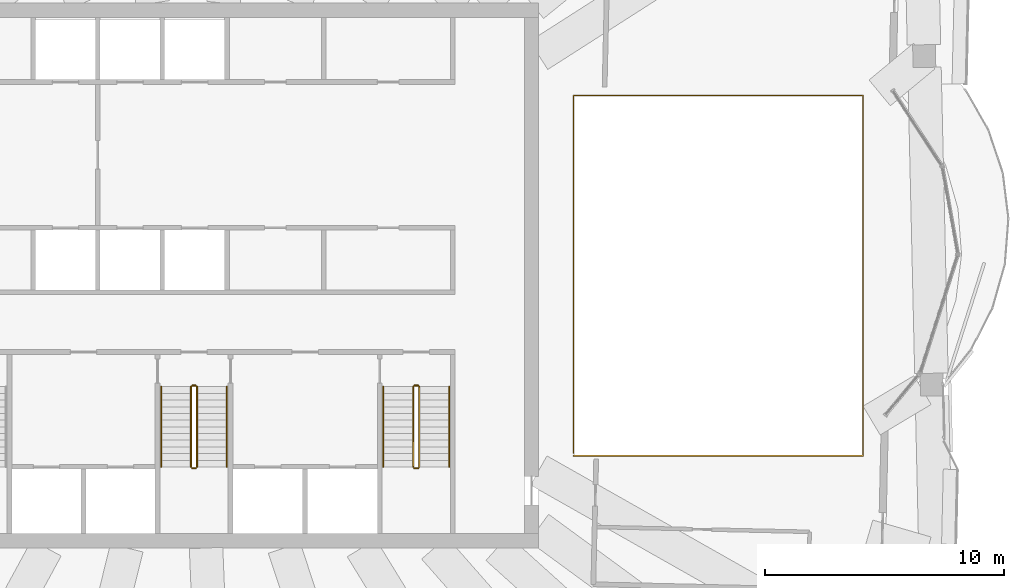
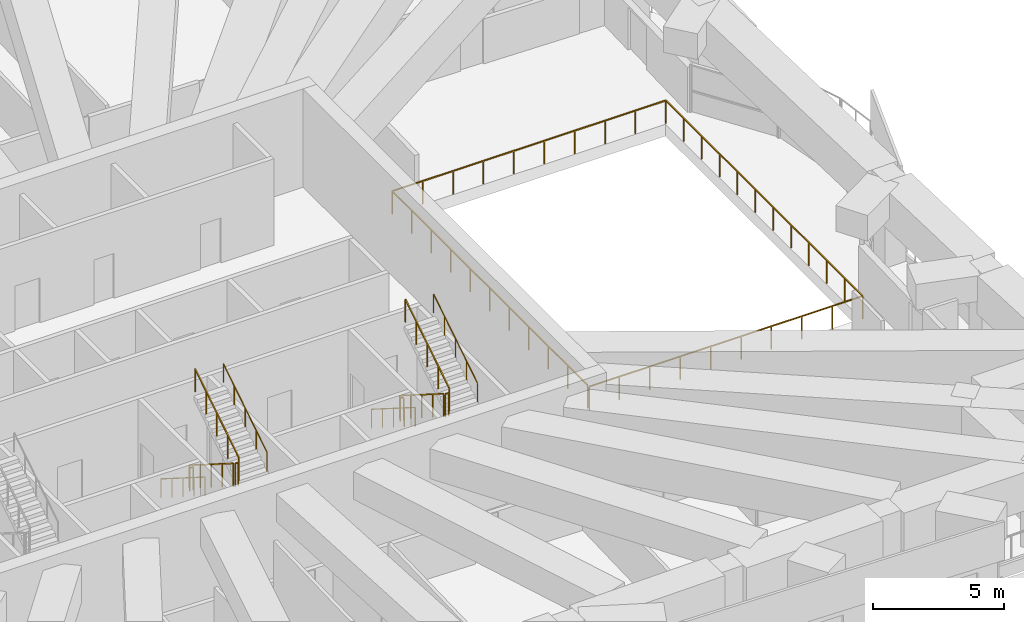
# One storey, part 18 of 20: 13 railings.
"""IFC4 building model written with IfcOpenShell, lengths in metres."""

from ifc_helpers import new_model, si_unit, direction, frame, origin, origin_2d, place, context, subcontext, project, spatial, rectangle, circle, extrude, material, type_object, element, save


model = new_model("IFC4")

# Units and contexts
model_context = context("Model", 3, precision=1e-05, world=origin(), true_north=direction((0.0, 1.0)))
body_context = subcontext(model_context, "Body", "Model", "MODEL_VIEW")
ifc_project = project(units=[si_unit("LENGTHUNIT", "METRE"), si_unit("AREAUNIT", "SQUARE_METRE"), si_unit("VOLUMEUNIT", "CUBIC_METRE"), si_unit("PLANEANGLEUNIT", "RADIAN"), si_unit("MASSUNIT", "GRAM", prefix="KILO")], contexts=[model_context])

# Site, building, storey
site_placement = place(None, origin())
site = spatial("IfcSite", under=ifc_project, at=site_placement, CompositionType="ELEMENT")
building_placement = place(site_placement, origin())
building = spatial("IfcBuilding", under=site, at=building_placement, Name="Mangrove Gate Tower", CompositionType="ELEMENT")
storey_placement = place(building_placement, frame((0.0, 0.0, 301.5)))
storey = spatial("IfcBuildingStorey", under=building, at=storey_placement, Name="L77", CompositionType="ELEMENT", Elevation=301.5)

# Railings
ifc_material_1 = material(Name="Stainless steel grade 316 with laminated glass infill", Category="steel")
railing_type_1 = type_object("IfcRailingType", Name="Balcony guard 1100", PredefinedType="GUARDRAIL", material=ifc_material_1)
railing_1_placement = place(storey_placement, frame((15.860107421875, -7.5400390625, 0.0)))
element("IfcRailing", 1, at=railing_1_placement, inside=storey, type_object=railing_type_1, Name="GUARD L77 atrium", PredefinedType="GUARDRAIL", context=body_context, shape_type="SweptSolid", body=[
    extrude(rectangle(XDim=0.048095703125, YDim=0.048095703125, at=origin_2d()), frame((0.0, 0.0, 1.076171875), z_axis=(1.0, 0.0, 0.0), x_axis=(0.0, 1.0, 0.0)), (0.0, 0.0, 1.0), 12.101806640625),
    extrude(rectangle(XDim=0.048095703125, YDim=0.048095703125, at=origin_2d()), frame((12.101806640625, 0.0, 1.076171875), z_axis=(0.0, 1.0, 0.0), x_axis=(-1.0, 0.0, 0.0)), (0.0, 0.0, 1.0), 15.080078125),
    extrude(rectangle(XDim=0.048095703125, YDim=0.048095703125, at=origin_2d()), frame((12.101806640625, 15.080078125, 1.076171875), z_axis=(-1.0, 0.0, 0.0), x_axis=(0.0, -1.0, 0.0)), (0.0, 0.0, 1.0), 12.101806640625),
    extrude(rectangle(XDim=0.048095703125, YDim=0.048095703125, at=origin_2d()), frame((0.0, 15.080078125, 1.076171875), z_axis=(0.0, -1.0, 0.0), x_axis=(1.0, 0.0, 0.0)), (0.0, 0.0, 1.0), 14.9599609375),
    extrude(rectangle(XDim=0.0419921875, YDim=0.0419921875, at=origin_2d()), origin(), (0.0, 0.0, 1.0), 1.052001953125),
    extrude(rectangle(XDim=0.0419921875, YDim=0.0419921875, at=origin_2d()), frame((1.3447265625, 0.0, 0.0)), (0.0, 0.0, 1.0), 1.052001953125),
    extrude(rectangle(XDim=0.0419921875, YDim=0.0419921875, at=origin_2d()), frame((2.689208984375, 0.0, 0.0)), (0.0, 0.0, 1.0), 1.052001953125),
    extrude(rectangle(XDim=0.0419921875, YDim=0.0419921875, at=origin_2d()), frame((4.033935546875, 0.0, 0.0)), (0.0, 0.0, 1.0), 1.052001953125),
    extrude(rectangle(XDim=0.0419921875, YDim=0.0419921875, at=origin_2d()), frame((5.378662109375, 0.0, 0.0)), (0.0, 0.0, 1.0), 1.052001953125),
    extrude(rectangle(XDim=0.0419921875, YDim=0.0419921875, at=origin_2d()), frame((6.72314453125, 0.0, 0.0)), (0.0, 0.0, 1.0), 1.052001953125),
    extrude(rectangle(XDim=0.0419921875, YDim=0.0419921875, at=origin_2d()), frame((8.06787109375, 0.0, 0.0)), (0.0, 0.0, 1.0), 1.052001953125),
    extrude(rectangle(XDim=0.0419921875, YDim=0.0419921875, at=origin_2d()), frame((9.41259765625, 0.0, 0.0)), (0.0, 0.0, 1.0), 1.052001953125),
    extrude(rectangle(XDim=0.0419921875, YDim=0.0419921875, at=origin_2d()), frame((10.757080078125, 0.0, 0.0)), (0.0, 0.0, 1.0), 1.052001953125),
    extrude(rectangle(XDim=0.0419921875, YDim=0.0419921875, at=origin_2d()), frame((12.101806640625, 0.0, 0.0)), (0.0, 0.0, 1.0), 1.052001953125),
    extrude(rectangle(XDim=0.0419921875, YDim=0.0419921875, at=origin_2d()), frame((12.101806640625, 1.370849609375, 0.0)), (0.0, 0.0, 1.0), 1.052001953125),
    extrude(rectangle(XDim=0.0419921875, YDim=0.0419921875, at=origin_2d()), frame((12.101806640625, 2.741943359375, 0.0)), (0.0, 0.0, 1.0), 1.052001953125),
    extrude(rectangle(XDim=0.0419921875, YDim=0.0419921875, at=origin_2d()), frame((12.101806640625, 4.11279296875, 0.0)), (0.0, 0.0, 1.0), 1.052001953125),
    extrude(rectangle(XDim=0.0419921875, YDim=0.0419921875, at=origin_2d()), frame((12.101806640625, 5.483642578125, 0.0)), (0.0, 0.0, 1.0), 1.052001953125),
    extrude(rectangle(XDim=0.0419921875, YDim=0.0419921875, at=origin_2d()), frame((12.101806640625, 6.8544921875, 0.0)), (0.0, 0.0, 1.0), 1.052001953125),
    extrude(rectangle(XDim=0.0419921875, YDim=0.0419921875, at=origin_2d()), frame((12.101806640625, 8.2255859375, 0.0)), (0.0, 0.0, 1.0), 1.052001953125),
    extrude(rectangle(XDim=0.0419921875, YDim=0.0419921875, at=origin_2d()), frame((12.101806640625, 9.596435546875, 0.0)), (0.0, 0.0, 1.0), 1.052001953125),
    extrude(rectangle(XDim=0.0419921875, YDim=0.0419921875, at=origin_2d()), frame((12.101806640625, 10.96728515625, 0.0)), (0.0, 0.0, 1.0), 1.052001953125),
    extrude(rectangle(XDim=0.0419921875, YDim=0.0419921875, at=origin_2d()), frame((12.101806640625, 12.338134765625, 0.0)), (0.0, 0.0, 1.0), 1.052001953125),
    extrude(rectangle(XDim=0.0419921875, YDim=0.0419921875, at=origin_2d()), frame((12.101806640625, 13.709228515625, 0.0)), (0.0, 0.0, 1.0), 1.052001953125),
    extrude(rectangle(XDim=0.0419921875, YDim=0.0419921875, at=origin_2d()), frame((12.101806640625, 15.080078125, 0.0)), (0.0, 0.0, 1.0), 1.052001953125),
    extrude(rectangle(XDim=0.0419921875, YDim=0.0419921875, at=origin_2d()), frame((10.757080078125, 15.080078125, 0.0)), (0.0, 0.0, 1.0), 1.052001953125),
    extrude(rectangle(XDim=0.0419921875, YDim=0.0419921875, at=origin_2d()), frame((9.41259765625, 15.080078125, 0.0)), (0.0, 0.0, 1.0), 1.052001953125),
    extrude(rectangle(XDim=0.0419921875, YDim=0.0419921875, at=origin_2d()), frame((8.06787109375, 15.080078125, 0.0)), (0.0, 0.0, 1.0), 1.052001953125),
    extrude(rectangle(XDim=0.0419921875, YDim=0.0419921875, at=origin_2d()), frame((6.72314453125, 15.080078125, 0.0)), (0.0, 0.0, 1.0), 1.052001953125),
    extrude(rectangle(XDim=0.0419921875, YDim=0.0419921875, at=origin_2d()), frame((5.378662109375, 15.080078125, 0.0)), (0.0, 0.0, 1.0), 1.052001953125),
    extrude(rectangle(XDim=0.0419921875, YDim=0.0419921875, at=origin_2d()), frame((4.033935546875, 15.080078125, 0.0)), (0.0, 0.0, 1.0), 1.052001953125),
    extrude(rectangle(XDim=0.0419921875, YDim=0.0419921875, at=origin_2d()), frame((2.689208984375, 15.080078125, 0.0)), (0.0, 0.0, 1.0), 1.052001953125),
    extrude(rectangle(XDim=0.0419921875, YDim=0.0419921875, at=origin_2d()), frame((1.3447265625, 15.080078125, 0.0)), (0.0, 0.0, 1.0), 1.052001953125),
    extrude(rectangle(XDim=0.0419921875, YDim=0.0419921875, at=origin_2d()), frame((0.0, 15.080078125, 0.0)), (0.0, 0.0, 1.0), 1.052001953125),
    extrude(rectangle(XDim=0.0419921875, YDim=0.0419921875, at=origin_2d()), frame((0.0, 13.583984375, 0.0)), (0.0, 0.0, 1.0), 1.052001953125),
    extrude(rectangle(XDim=0.0419921875, YDim=0.0419921875, at=origin_2d()), frame((0.0, 12.088134765625, 0.0)), (0.0, 0.0, 1.0), 1.052001953125),
    extrude(rectangle(XDim=0.0419921875, YDim=0.0419921875, at=origin_2d()), frame((0.0, 10.592041015625, 0.0)), (0.0, 0.0, 1.0), 1.052001953125),
    extrude(rectangle(XDim=0.0419921875, YDim=0.0419921875, at=origin_2d()), frame((0.0, 9.09619140625, 0.0)), (0.0, 0.0, 1.0), 1.052001953125),
    extrude(rectangle(XDim=0.0419921875, YDim=0.0419921875, at=origin_2d()), frame((0.0, 7.60009765625, 0.0)), (0.0, 0.0, 1.0), 1.052001953125),
    extrude(rectangle(XDim=0.0419921875, YDim=0.0419921875, at=origin_2d()), frame((0.0, 6.10400390625, 0.0)), (0.0, 0.0, 1.0), 1.052001953125),
    extrude(rectangle(XDim=0.0419921875, YDim=0.0419921875, at=origin_2d()), frame((0.0, 4.608154296875, 0.0)), (0.0, 0.0, 1.0), 1.052001953125),
    extrude(rectangle(XDim=0.0419921875, YDim=0.0419921875, at=origin_2d()), frame((0.0, 3.112060546875, 0.0)), (0.0, 0.0, 1.0), 1.052001953125),
    extrude(rectangle(XDim=0.0419921875, YDim=0.0419921875, at=origin_2d()), frame((0.0, 1.6162109375, 0.0)), (0.0, 0.0, 1.0), 1.052001953125),
    extrude(rectangle(XDim=0.0419921875, YDim=0.0419921875, at=origin_2d()), frame((0.0, 0.1201171875, 0.0)), (0.0, 0.0, 1.0), 1.052001953125),
])
ifc_material_2 = material(Name="Stainless steel 316", Category="steel")
railing_type_2 = type_object("IfcRailingType", Name="Core stair guard 1100", PredefinedType="GUARDRAIL", material=ifc_material_2)
railing_2_placement = place(storey_placement, frame((-0.14990234375, -4.64990234375, 0.177001953125)))
element("IfcRailing", 2, at=railing_2_placement, inside=storey, type_object=railing_type_2, Name="L77 ST2 stair guard 1", PredefinedType="GUARDRAIL", context=body_context, shape_type="SweptSolid", body=[
    extrude(rectangle(XDim=0.048095703125, YDim=0.048095703125, at=origin_2d()), frame((0.0, 0.0, 1.076171875), z_axis=(0.0, -0.845389635667, 0.534150132366), x_axis=(1.0, 0.0, 0.0)), (0.0, 0.0, 1.0), 3.974609375),
    extrude(rectangle(XDim=0.0419921875, YDim=0.0419921875, at=origin_2d()), origin(), (0.0, 0.0, 1.0), 1.052001953125),
    extrude(rectangle(XDim=0.0419921875, YDim=0.0419921875, at=origin_2d()), frame((0.0, -0.840087890625, 0.53076171875)), (0.0, 0.0, 1.0), 1.052001953125),
    extrude(rectangle(XDim=0.0419921875, YDim=0.0419921875, at=origin_2d()), frame((0.0, -1.68017578125, 1.0615234375)), (0.0, 0.0, 1.0), 1.052001953125),
    extrude(rectangle(XDim=0.0419921875, YDim=0.0419921875, at=origin_2d()), frame((0.0, -2.52001953125, 1.59228515625)), (0.0, 0.0, 1.0), 1.052001953125),
    extrude(rectangle(XDim=0.0419921875, YDim=0.0419921875, at=origin_2d()), frame((0.0, -3.360107421875, 2.123046875)), (0.0, 0.0, 1.0), 1.052001953125),
])
railing_3_placement = place(storey_placement, frame((-0.10009765625, -8.06005859375, 2.300048828125)))
element("IfcRailing", 3, at=railing_3_placement, inside=storey, type_object=railing_type_2, Name="L77 ST2 stair guard 2", PredefinedType="GUARDRAIL", context=body_context, shape_type="SweptSolid", body=[
    extrude(rectangle(XDim=0.048095703125, YDim=0.048095703125, at=origin_2d()), frame((0.0, 0.0, 1.076171875), z_axis=(1.0, 0.0, 0.0), x_axis=(0.0, 1.0, 0.0)), (0.0, 0.0, 1.0), 0.150146484375),
    extrude(rectangle(XDim=0.0419921875, YDim=0.0419921875, at=origin_2d()), origin(), (0.0, 0.0, 1.0), 1.052001953125),
    extrude(rectangle(XDim=0.0419921875, YDim=0.0419921875, at=origin_2d()), frame((0.150146484375, 0.0, 0.0)), (0.0, 0.0, 1.0), 1.052001953125),
])
railing_4_placement = place(storey_placement, frame((0.10009765625, -8.010009765625, 2.476806640625)))
element("IfcRailing", 4, at=railing_4_placement, inside=storey, type_object=railing_type_2, Name="L77 ST2 stair guard 3", PredefinedType="GUARDRAIL", context=body_context, shape_type="SweptSolid", body=[
    extrude(rectangle(XDim=0.048095703125, YDim=0.048095703125, at=origin_2d()), frame((0.0, 0.0, 1.076171875), z_axis=(0.0, 0.845361898145, 0.534194029511), x_axis=(-1.0, 0.0, 0.0)), (0.0, 0.0, 1.0), 3.974853515625),
    extrude(rectangle(XDim=0.0419921875, YDim=0.0419921875, at=origin_2d()), origin(), (0.0, 0.0, 1.0), 1.052001953125),
    extrude(rectangle(XDim=0.0419921875, YDim=0.0419921875, at=origin_2d()), frame((0.0, 0.840087890625, 0.53076171875)), (0.0, 0.0, 1.0), 1.052001953125),
    extrude(rectangle(XDim=0.0419921875, YDim=0.0419921875, at=origin_2d()), frame((0.0, 1.68017578125, 1.0615234375)), (0.0, 0.0, 1.0), 1.052001953125),
    extrude(rectangle(XDim=0.0419921875, YDim=0.0419921875, at=origin_2d()), frame((0.0, 2.52001953125, 1.592529296875)), (0.0, 0.0, 1.0), 1.052001953125),
    extrude(rectangle(XDim=0.0419921875, YDim=0.0419921875, at=origin_2d()), frame((0.0, 3.360107421875, 2.123291015625)), (0.0, 0.0, 1.0), 1.052001953125),
])
railing_5_placement = place(storey_placement, frame((-0.10009765625, -4.60009765625, 0.0)))
element("IfcRailing", 5, at=railing_5_placement, inside=storey, type_object=railing_type_2, Name="L77 ST2 stair guard 4", PredefinedType="GUARDRAIL", context=body_context, shape_type="SweptSolid", body=[
    extrude(rectangle(XDim=0.048095703125, YDim=0.048095703125, at=origin_2d()), frame((0.0, 0.0, 1.076171875), z_axis=(1.0, 0.0, 0.0), x_axis=(0.0, 1.0, 0.0)), (0.0, 0.0, 1.0), 0.150146484375),
    extrude(rectangle(XDim=0.0419921875, YDim=0.0419921875, at=origin_2d()), origin(), (0.0, 0.0, 1.0), 1.052001953125),
    extrude(rectangle(XDim=0.0419921875, YDim=0.0419921875, at=origin_2d()), frame((0.150146484375, 0.0, 0.0)), (0.0, 0.0, 1.0), 1.052001953125),
])
railing_6_placement = place(storey_placement, frame((9.14990234375, -4.64990234375, 0.177001953125)))
element("IfcRailing", 6, at=railing_6_placement, inside=storey, type_object=railing_type_2, Name="L77 ST3 stair guard 1", PredefinedType="GUARDRAIL", context=body_context, shape_type="SweptSolid", body=[
    extrude(rectangle(XDim=0.048095703125, YDim=0.048095703125, at=origin_2d()), frame((0.0, 0.0, 1.076171875), z_axis=(0.0, -0.845389635667, 0.534150132366), x_axis=(1.0, 0.0, 0.0)), (0.0, 0.0, 1.0), 3.974609375),
    extrude(rectangle(XDim=0.0419921875, YDim=0.0419921875, at=origin_2d()), origin(), (0.0, 0.0, 1.0), 1.052001953125),
    extrude(rectangle(XDim=0.0419921875, YDim=0.0419921875, at=origin_2d()), frame((0.0, -0.840087890625, 0.53076171875)), (0.0, 0.0, 1.0), 1.052001953125),
    extrude(rectangle(XDim=0.0419921875, YDim=0.0419921875, at=origin_2d()), frame((0.0, -1.68017578125, 1.0615234375)), (0.0, 0.0, 1.0), 1.052001953125),
    extrude(rectangle(XDim=0.0419921875, YDim=0.0419921875, at=origin_2d()), frame((0.0, -2.52001953125, 1.59228515625)), (0.0, 0.0, 1.0), 1.052001953125),
    extrude(rectangle(XDim=0.0419921875, YDim=0.0419921875, at=origin_2d()), frame((0.0, -3.360107421875, 2.123046875)), (0.0, 0.0, 1.0), 1.052001953125),
])
railing_7_placement = place(storey_placement, frame((9.199951171875, -8.06005859375, 2.300048828125)))
element("IfcRailing", 7, at=railing_7_placement, inside=storey, type_object=railing_type_2, Name="L77 ST3 stair guard 2", PredefinedType="GUARDRAIL", context=body_context, shape_type="SweptSolid", body=[
    extrude(rectangle(XDim=0.048095703125, YDim=0.048095703125, at=origin_2d()), frame((0.0, 0.0, 1.076171875), z_axis=(1.0, 0.0, 0.0), x_axis=(0.0, 1.0, 0.0)), (0.0, 0.0, 1.0), 0.150146484375),
    extrude(rectangle(XDim=0.0419921875, YDim=0.0419921875, at=origin_2d()), origin(), (0.0, 0.0, 1.0), 1.052001953125),
    extrude(rectangle(XDim=0.0419921875, YDim=0.0419921875, at=origin_2d()), frame((0.150146484375, 0.0, 0.0)), (0.0, 0.0, 1.0), 1.052001953125),
])
railing_8_placement = place(storey_placement, frame((9.39990234375, -8.010009765625, 2.476806640625)))
element("IfcRailing", 8, at=railing_8_placement, inside=storey, type_object=railing_type_2, Name="L77 ST3 stair guard 3", PredefinedType="GUARDRAIL", context=body_context, shape_type="SweptSolid", body=[
    extrude(rectangle(XDim=0.048095703125, YDim=0.048095703125, at=origin_2d()), frame((0.0, 0.0, 1.076171875), z_axis=(0.0, 0.845361898145, 0.534194029511), x_axis=(-1.0, 0.0, 0.0)), (0.0, 0.0, 1.0), 3.974853515625),
    extrude(rectangle(XDim=0.0419921875, YDim=0.0419921875, at=origin_2d()), origin(), (0.0, 0.0, 1.0), 1.052001953125),
    extrude(rectangle(XDim=0.0419921875, YDim=0.0419921875, at=origin_2d()), frame((0.0, 0.840087890625, 0.53076171875)), (0.0, 0.0, 1.0), 1.052001953125),
    extrude(rectangle(XDim=0.0419921875, YDim=0.0419921875, at=origin_2d()), frame((0.0, 1.68017578125, 1.0615234375)), (0.0, 0.0, 1.0), 1.052001953125),
    extrude(rectangle(XDim=0.0419921875, YDim=0.0419921875, at=origin_2d()), frame((0.0, 2.52001953125, 1.592529296875)), (0.0, 0.0, 1.0), 1.052001953125),
    extrude(rectangle(XDim=0.0419921875, YDim=0.0419921875, at=origin_2d()), frame((0.0, 3.360107421875, 2.123291015625)), (0.0, 0.0, 1.0), 1.052001953125),
])
railing_9_placement = place(storey_placement, frame((9.199951171875, -4.60009765625, 0.0)))
element("IfcRailing", 9, at=railing_9_placement, inside=storey, type_object=railing_type_2, Name="L77 ST3 stair guard 4", PredefinedType="GUARDRAIL", context=body_context, shape_type="SweptSolid", body=[
    extrude(rectangle(XDim=0.048095703125, YDim=0.048095703125, at=origin_2d()), frame((0.0, 0.0, 1.076171875), z_axis=(1.0, 0.0, 0.0), x_axis=(0.0, 1.0, 0.0)), (0.0, 0.0, 1.0), 0.150146484375),
    extrude(rectangle(XDim=0.0419921875, YDim=0.0419921875, at=origin_2d()), origin(), (0.0, 0.0, 1.0), 1.052001953125),
    extrude(rectangle(XDim=0.0419921875, YDim=0.0419921875, at=origin_2d()), frame((0.150146484375, 0.0, 0.0)), (0.0, 0.0, 1.0), 1.052001953125),
])
ifc_material_3 = material(Name="Stainless steel 316", Category="steel")
railing_type_3 = type_object("IfcRailingType", Name="Core stair handrail 900", PredefinedType="HANDRAIL", material=ifc_material_3)
railing_10_placement = place(storey_placement, frame((-1.39990234375, -4.64990234375, 0.177001953125)))
element("IfcRailing", 10, at=railing_10_placement, inside=storey, type_object=railing_type_3, Name="L77 ST2 stair handrail 1", PredefinedType="HANDRAIL", context=body_context, shape_type="SweptSolid", body=[
    extrude(circle(Radius=0.02392578125, at=origin_2d()), frame((0.0, 0.0, 0.8759765625), z_axis=(0.0, -0.845389635667, 0.534150132366), x_axis=(1.0, 0.0, 0.0)), (0.0, 0.0, 1.0), 3.974609375),
    extrude(circle(Radius=0.02099609375, at=origin_2d()), origin(), (0.0, 0.0, 1.0), 0.851806640625),
    extrude(circle(Radius=0.02099609375, at=origin_2d()), frame((0.0, -0.840087890625, 0.53076171875)), (0.0, 0.0, 1.0), 0.851806640625),
    extrude(circle(Radius=0.02099609375, at=origin_2d()), frame((0.0, -1.68017578125, 1.0615234375)), (0.0, 0.0, 1.0), 0.851806640625),
    extrude(circle(Radius=0.02099609375, at=origin_2d()), frame((0.0, -2.52001953125, 1.59228515625)), (0.0, 0.0, 1.0), 0.851806640625),
    extrude(circle(Radius=0.02099609375, at=origin_2d()), frame((0.0, -3.360107421875, 2.123046875)), (0.0, 0.0, 1.0), 0.851806640625),
])
railing_11_placement = place(storey_placement, frame((1.35009765625, -8.010009765625, 2.476806640625)))
element("IfcRailing", 11, at=railing_11_placement, inside=storey, type_object=railing_type_3, Name="L77 ST2 stair handrail 2", PredefinedType="HANDRAIL", context=body_context, shape_type="SweptSolid", body=[
    extrude(circle(Radius=0.02392578125, at=origin_2d()), frame((0.0, 0.0, 0.8759765625), z_axis=(0.0, 0.845361898145, 0.534194029511), x_axis=(-1.0, 0.0, 0.0)), (0.0, 0.0, 1.0), 3.974853515625),
    extrude(circle(Radius=0.02099609375, at=origin_2d()), origin(), (0.0, 0.0, 1.0), 0.851806640625),
    extrude(circle(Radius=0.02099609375, at=origin_2d()), frame((0.0, 0.840087890625, 0.53076171875)), (0.0, 0.0, 1.0), 0.851806640625),
    extrude(circle(Radius=0.02099609375, at=origin_2d()), frame((0.0, 1.68017578125, 1.0615234375)), (0.0, 0.0, 1.0), 0.851806640625),
    extrude(circle(Radius=0.02099609375, at=origin_2d()), frame((0.0, 2.52001953125, 1.592529296875)), (0.0, 0.0, 1.0), 0.851806640625),
    extrude(circle(Radius=0.02099609375, at=origin_2d()), frame((0.0, 3.360107421875, 2.123291015625)), (0.0, 0.0, 1.0), 0.851806640625),
])
railing_12_placement = place(storey_placement, frame((7.89990234375, -4.64990234375, 0.177001953125)))
element("IfcRailing", 12, at=railing_12_placement, inside=storey, type_object=railing_type_3, Name="L77 ST3 stair handrail 1", PredefinedType="HANDRAIL", context=body_context, shape_type="SweptSolid", body=[
    extrude(circle(Radius=0.02392578125, at=origin_2d()), frame((0.0, 0.0, 0.8759765625), z_axis=(0.0, -0.845389635667, 0.534150132366), x_axis=(1.0, 0.0, 0.0)), (0.0, 0.0, 1.0), 3.974609375),
    extrude(circle(Radius=0.02099609375, at=origin_2d()), origin(), (0.0, 0.0, 1.0), 0.851806640625),
    extrude(circle(Radius=0.02099609375, at=origin_2d()), frame((0.0, -0.840087890625, 0.53076171875)), (0.0, 0.0, 1.0), 0.851806640625),
    extrude(circle(Radius=0.02099609375, at=origin_2d()), frame((0.0, -1.68017578125, 1.0615234375)), (0.0, 0.0, 1.0), 0.851806640625),
    extrude(circle(Radius=0.02099609375, at=origin_2d()), frame((0.0, -2.52001953125, 1.59228515625)), (0.0, 0.0, 1.0), 0.851806640625),
    extrude(circle(Radius=0.02099609375, at=origin_2d()), frame((0.0, -3.360107421875, 2.123046875)), (0.0, 0.0, 1.0), 0.851806640625),
])
railing_13_placement = place(storey_placement, frame((10.64990234375, -8.010009765625, 2.476806640625)))
element("IfcRailing", 13, at=railing_13_placement, inside=storey, type_object=railing_type_3, Name="L77 ST3 stair handrail 2", PredefinedType="HANDRAIL", context=body_context, shape_type="SweptSolid", body=[
    extrude(circle(Radius=0.02392578125, at=origin_2d()), frame((0.0, 0.0, 0.8759765625), z_axis=(0.0, 0.845361898145, 0.534194029511), x_axis=(-1.0, 0.0, 0.0)), (0.0, 0.0, 1.0), 3.974853515625),
    extrude(circle(Radius=0.02099609375, at=origin_2d()), origin(), (0.0, 0.0, 1.0), 0.851806640625),
    extrude(circle(Radius=0.02099609375, at=origin_2d()), frame((0.0, 0.840087890625, 0.53076171875)), (0.0, 0.0, 1.0), 0.851806640625),
    extrude(circle(Radius=0.02099609375, at=origin_2d()), frame((0.0, 1.68017578125, 1.0615234375)), (0.0, 0.0, 1.0), 0.851806640625),
    extrude(circle(Radius=0.02099609375, at=origin_2d()), frame((0.0, 2.52001953125, 1.592529296875)), (0.0, 0.0, 1.0), 0.851806640625),
    extrude(circle(Radius=0.02099609375, at=origin_2d()), frame((0.0, 3.360107421875, 2.123291015625)), (0.0, 0.0, 1.0), 0.851806640625),
])

save(model, "model.ifc")
